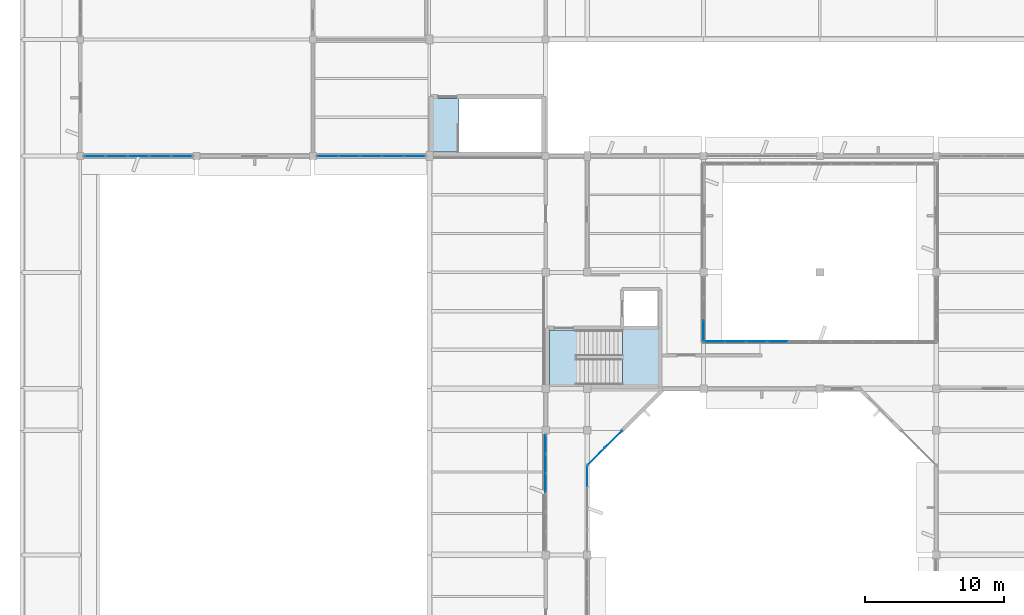
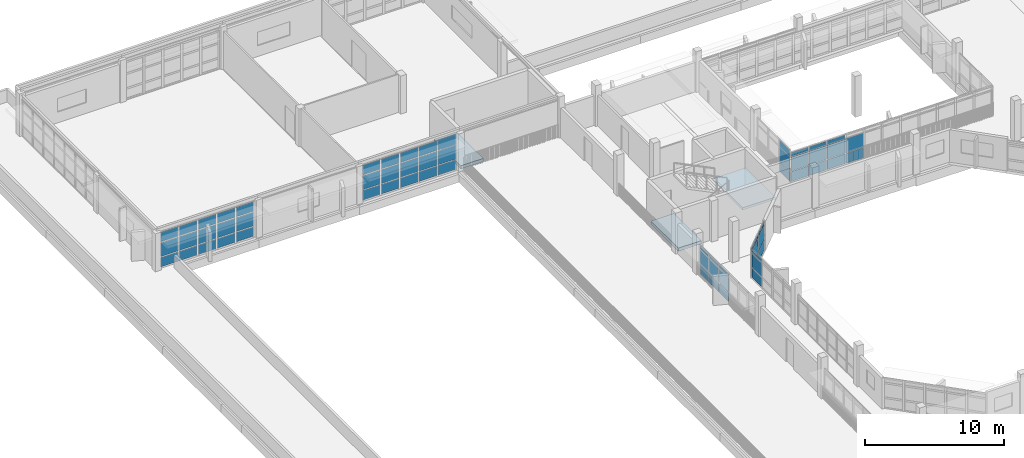
# One storey, part 52 of 92: 62 plates, 3 slabs, 8 elements without a shape of their own.
"""IFC4 building model written with IfcOpenShell, lengths in metres."""

from ifc_helpers import new_model, si_unit, direction, frame, origin, origin_2d, place, context, subcontext, project, spatial, polyline, rectangle, outline, extrude, material, layer, layer_set, type_object, element, aggregate, save


model = new_model("IFC4")

# Units and contexts
model_context = context("Model", 3, precision=1e-05, world=origin(), true_north=direction((0.0, 1.0)))
body_context = subcontext(model_context, "Body", "Model", "MODEL_VIEW")
ifc_project = project(units=[si_unit("LENGTHUNIT", "METRE"), si_unit("AREAUNIT", "SQUARE_METRE"), si_unit("VOLUMEUNIT", "CUBIC_METRE"), si_unit("PLANEANGLEUNIT", "RADIAN"), si_unit("MASSUNIT", "GRAM", prefix="KILO")], contexts=[model_context])

# Site, building, storey
site_placement = place(None, origin())
site = spatial("IfcSite", under=ifc_project, at=site_placement, CompositionType="ELEMENT")
building_placement = place(site_placement, origin())
building = spatial("IfcBuilding", under=site, at=building_placement, Name="Vanh Quang Courtyard School", CompositionType="ELEMENT")
storey_placement = place(building_placement, frame((0.0, 0.0, 7.800048828125)))
storey = spatial("IfcBuildingStorey", under=building, at=storey_placement, Name="L02", CompositionType="ELEMENT", Elevation=7.800048828125)

# Curtain wall, plates
ifc_material_1 = material(Name="Thermally broken aluminium unitised curtain wall", Category="aluminium")
curtain_wall_type_1 = type_object("IfcCurtainWallType", Name="CW-SYS-44", PredefinedType="NOTDEFINED", material=ifc_material_1)
curtain_wall_1_placement = place(storey_placement, origin())
curtain_wall_1 = element("IfcCurtainWall", 1, at=curtain_wall_1_placement, inside=storey, type_object=curtain_wall_type_1, Name="Curtain Wall CW-44 (L02)", PredefinedType="NOTDEFINED")
ifc_material_2 = material(Name="Low-E laminated double glazing", Category="glass")
ifc_layer_1 = layer(ifc_material_2, 0.028076171875)
ifc_layer_set_1 = layer_set([ifc_layer_1], Name="Low-E laminated double glazing")
plate_type_1 = type_object("IfcPlateType", Name="CW-PNL-28", PredefinedType="CURTAIN_PANEL", material=ifc_layer_set_1)
plate_1_placement = place(storey_placement, frame((40.800048828125, 65.064453125, 0.079833984375), z_axis=(0.0, 0.0, 1.0), x_axis=(0.0, -1.0, 0.0)))
plate_1 = element("IfcPlate", 2, at=plate_1_placement, type_object=plate_type_1, Name="CW-44 panel 1.1", PredefinedType="CURTAIN_PANEL", context=body_context, shape_type="SweptSolid", body=[
    extrude(rectangle(XDim=1.42333984375, YDim=0.028076171875, at=origin_2d()), origin(), (0.0, 0.0, 1.0), 0.830078125),
])
plate_2_placement = place(storey_placement, frame((40.800048828125, 65.064453125, 0.98974609375), z_axis=(0.0, 0.0, 1.0), x_axis=(0.0, -1.0, 0.0)))
plate_2 = element("IfcPlate", 3, at=plate_2_placement, type_object=plate_type_1, Name="CW-44 panel 1.2", PredefinedType="CURTAIN_PANEL", context=body_context, shape_type="SweptSolid", body=[
    extrude(rectangle(XDim=1.42333984375, YDim=0.028076171875, at=origin_2d()), origin(), (0.0, 0.0, 1.0), 1.219970703125),
])
plate_3_placement = place(storey_placement, frame((40.800048828125, 65.064453125, 2.2900390625), z_axis=(0.0, 0.0, 1.0), x_axis=(0.0, -1.0, 0.0)))
plate_3 = element("IfcPlate", 4, at=plate_3_placement, type_object=plate_type_1, Name="CW-44 panel 1.3", PredefinedType="CURTAIN_PANEL", context=body_context, shape_type="SweptSolid", body=[
    extrude(rectangle(XDim=1.42333984375, YDim=0.028076171875, at=origin_2d()), origin(), (0.0, 0.0, 1.0), 0.22998046875),
])
aggregate(curtain_wall_1, [plate_1, plate_2, plate_3])

curtain_wall_type_2 = type_object("IfcCurtainWallType", Name="CW-SYS-56", PredefinedType="NOTDEFINED", material=ifc_material_1)
curtain_wall_2_placement = place(storey_placement, origin())
curtain_wall_2 = element("IfcCurtainWall", 5, at=curtain_wall_2_placement, inside=storey, type_object=curtain_wall_type_2, Name="Curtain Wall CW-56 (L02)", PredefinedType="NOTDEFINED")
plate_4_placement = place(storey_placement, frame((49.199951171875, 75.60107421875, 0.06005859375), z_axis=(0.0, 0.0, 1.0), x_axis=(0.0, -1.0, 0.0)))
plate_4 = element("IfcPlate", 6, at=plate_4_placement, type_object=plate_type_1, Name="CW-56 panel 3.1", PredefinedType="CURTAIN_PANEL", context=body_context, shape_type="SweptSolid", body=[
    extrude(rectangle(XDim=1.482421875, YDim=0.028076171875, at=origin_2d()), origin(), (0.0, 0.0, 1.0), 0.860107421875),
])
plate_5_placement = place(storey_placement, frame((49.199951171875, 75.60107421875, 0.97998046875), z_axis=(0.0, 0.0, 1.0), x_axis=(0.0, -1.0, 0.0)))
plate_5 = element("IfcPlate", 7, at=plate_5_placement, type_object=plate_type_1, Name="CW-56 panel 3.2", PredefinedType="CURTAIN_PANEL", context=body_context, shape_type="SweptSolid", body=[
    extrude(rectangle(XDim=1.482421875, YDim=0.028076171875, at=origin_2d()), origin(), (0.0, 0.0, 1.0), 1.239990234375),
])
plate_6_placement = place(storey_placement, frame((49.199951171875, 75.60107421875, 2.280029296875), z_axis=(0.0, 0.0, 1.0), x_axis=(0.0, -1.0, 0.0)))
plate_6 = element("IfcPlate", 8, at=plate_6_placement, type_object=plate_type_1, Name="CW-56 panel 3.3", PredefinedType="CURTAIN_PANEL", context=body_context, shape_type="SweptSolid", body=[
    extrude(rectangle(XDim=1.482421875, YDim=0.028076171875, at=origin_2d()), origin(), (0.0, 0.0, 1.0), 0.56005859375),
])
aggregate(curtain_wall_2, [plate_4, plate_5, plate_6])

curtain_wall_type_3 = type_object("IfcCurtainWallType", Name="CW-SYS-08", PredefinedType="NOTDEFINED", material=ifc_material_1)
curtain_wall_3_placement = place(storey_placement, origin())
curtain_wall_3 = element("IfcCurtainWall", 9, at=curtain_wall_3_placement, inside=storey, type_object=curtain_wall_type_3, Name="Curtain Wall CW-08 (L02)", PredefinedType="NOTDEFINED")
plate_7_placement = place(storey_placement, frame((11.53369140625, 88.199951171875, 0.079833984375), z_axis=(0.0, 0.0, 1.0), x_axis=(-1.0, 0.0, 0.0)))
plate_7 = element("IfcPlate", 10, at=plate_7_placement, type_object=plate_type_1, Name="CW-08 panel 1.1", PredefinedType="CURTAIN_PANEL", context=body_context, shape_type="SweptSolid", body=[
    extrude(rectangle(XDim=1.456787109375, YDim=0.028076171875, at=origin_2d()), origin(), (0.0, 0.0, 1.0), 0.830078125),
])
plate_8_placement = place(storey_placement, frame((11.53369140625, 88.199951171875, 0.98974609375), z_axis=(0.0, 0.0, 1.0), x_axis=(-1.0, 0.0, 0.0)))
plate_8 = element("IfcPlate", 11, at=plate_8_placement, type_object=plate_type_1, Name="CW-08 panel 1.2", PredefinedType="CURTAIN_PANEL", context=body_context, shape_type="SweptSolid", body=[
    extrude(rectangle(XDim=1.456787109375, YDim=0.028076171875, at=origin_2d()), origin(), (0.0, 0.0, 1.0), 1.219970703125),
])
plate_9_placement = place(storey_placement, frame((11.53369140625, 88.199951171875, 2.289794921875), z_axis=(0.0, 0.0, 1.0), x_axis=(-1.0, 0.0, 0.0)))
plate_9 = element("IfcPlate", 12, at=plate_9_placement, type_object=plate_type_1, Name="CW-08 panel 1.3", PredefinedType="CURTAIN_PANEL", context=body_context, shape_type="SweptSolid", body=[
    extrude(rectangle(XDim=1.456787109375, YDim=0.028076171875, at=origin_2d()), origin(), (0.0, 0.0, 1.0), 0.830078125),
])
plate_10_placement = place(storey_placement, frame((9.976806640625, 88.199951171875, 0.079833984375), z_axis=(0.0, 0.0, 1.0), x_axis=(-1.0, 0.0, 0.0)))
plate_10 = element("IfcPlate", 13, at=plate_10_placement, type_object=plate_type_1, Name="CW-08 panel 2.1", PredefinedType="CURTAIN_PANEL", context=body_context, shape_type="SweptSolid", body=[
    extrude(rectangle(XDim=1.496826171875, YDim=0.028076171875, at=origin_2d()), origin(), (0.0, 0.0, 1.0), 0.830078125),
])
plate_11_placement = place(storey_placement, frame((9.976806640625, 88.199951171875, 0.98974609375), z_axis=(0.0, 0.0, 1.0), x_axis=(-1.0, 0.0, 0.0)))
plate_11 = element("IfcPlate", 14, at=plate_11_placement, type_object=plate_type_1, Name="CW-08 panel 2.2", PredefinedType="CURTAIN_PANEL", context=body_context, shape_type="SweptSolid", body=[
    extrude(rectangle(XDim=1.496826171875, YDim=0.028076171875, at=origin_2d()), origin(), (0.0, 0.0, 1.0), 1.219970703125),
])
plate_12_placement = place(storey_placement, frame((9.976806640625, 88.199951171875, 2.289794921875), z_axis=(0.0, 0.0, 1.0), x_axis=(-1.0, 0.0, 0.0)))
plate_12 = element("IfcPlate", 15, at=plate_12_placement, type_object=plate_type_1, Name="CW-08 panel 2.3", PredefinedType="CURTAIN_PANEL", context=body_context, shape_type="SweptSolid", body=[
    extrude(rectangle(XDim=1.496826171875, YDim=0.028076171875, at=origin_2d()), origin(), (0.0, 0.0, 1.0), 0.830078125),
])
plate_13_placement = place(storey_placement, frame((8.39990234375, 88.199951171875, 0.079833984375), z_axis=(0.0, 0.0, 1.0), x_axis=(-1.0, 0.0, 0.0)))
plate_13 = element("IfcPlate", 16, at=plate_13_placement, type_object=plate_type_1, Name="CW-08 panel 3.1", PredefinedType="CURTAIN_PANEL", context=body_context, shape_type="SweptSolid", body=[
    extrude(rectangle(XDim=1.496826171875, YDim=0.028076171875, at=origin_2d()), origin(), (0.0, 0.0, 1.0), 0.830078125),
])
plate_14_placement = place(storey_placement, frame((8.39990234375, 88.199951171875, 0.98974609375), z_axis=(0.0, 0.0, 1.0), x_axis=(-1.0, 0.0, 0.0)))
plate_14 = element("IfcPlate", 17, at=plate_14_placement, type_object=plate_type_1, Name="CW-08 panel 3.2", PredefinedType="CURTAIN_PANEL", context=body_context, shape_type="SweptSolid", body=[
    extrude(rectangle(XDim=1.496826171875, YDim=0.028076171875, at=origin_2d()), origin(), (0.0, 0.0, 1.0), 1.219970703125),
])
plate_15_placement = place(storey_placement, frame((8.39990234375, 88.199951171875, 2.289794921875), z_axis=(0.0, 0.0, 1.0), x_axis=(-1.0, 0.0, 0.0)))
plate_15 = element("IfcPlate", 18, at=plate_15_placement, type_object=plate_type_1, Name="CW-08 panel 3.3", PredefinedType="CURTAIN_PANEL", context=body_context, shape_type="SweptSolid", body=[
    extrude(rectangle(XDim=1.496826171875, YDim=0.028076171875, at=origin_2d()), origin(), (0.0, 0.0, 1.0), 0.830078125),
])
plate_16_placement = place(storey_placement, frame((6.8232421875, 88.199951171875, 0.079833984375), z_axis=(0.0, 0.0, 1.0), x_axis=(-1.0, 0.0, 0.0)))
plate_16 = element("IfcPlate", 19, at=plate_16_placement, type_object=plate_type_1, Name="CW-08 panel 4.1", PredefinedType="CURTAIN_PANEL", context=body_context, shape_type="SweptSolid", body=[
    extrude(rectangle(XDim=1.496826171875, YDim=0.028076171875, at=origin_2d()), origin(), (0.0, 0.0, 1.0), 0.830078125),
])
plate_17_placement = place(storey_placement, frame((6.8232421875, 88.199951171875, 0.98974609375), z_axis=(0.0, 0.0, 1.0), x_axis=(-1.0, 0.0, 0.0)))
plate_17 = element("IfcPlate", 20, at=plate_17_placement, type_object=plate_type_1, Name="CW-08 panel 4.2", PredefinedType="CURTAIN_PANEL", context=body_context, shape_type="SweptSolid", body=[
    extrude(rectangle(XDim=1.496826171875, YDim=0.028076171875, at=origin_2d()), origin(), (0.0, 0.0, 1.0), 1.219970703125),
])
plate_18_placement = place(storey_placement, frame((6.8232421875, 88.199951171875, 2.289794921875), z_axis=(0.0, 0.0, 1.0), x_axis=(-1.0, 0.0, 0.0)))
plate_18 = element("IfcPlate", 21, at=plate_18_placement, type_object=plate_type_1, Name="CW-08 panel 4.3", PredefinedType="CURTAIN_PANEL", context=body_context, shape_type="SweptSolid", body=[
    extrude(rectangle(XDim=1.496826171875, YDim=0.028076171875, at=origin_2d()), origin(), (0.0, 0.0, 1.0), 0.830078125),
])
plate_19_placement = place(storey_placement, frame((5.266357421875, 88.199951171875, 0.079833984375), z_axis=(0.0, 0.0, 1.0), x_axis=(-1.0, 0.0, 0.0)))
plate_19 = element("IfcPlate", 22, at=plate_19_placement, type_object=plate_type_1, Name="CW-08 panel 5.1", PredefinedType="CURTAIN_PANEL", context=body_context, shape_type="SweptSolid", body=[
    extrude(rectangle(XDim=1.456787109375, YDim=0.028076171875, at=origin_2d()), origin(), (0.0, 0.0, 1.0), 0.830078125),
])
plate_20_placement = place(storey_placement, frame((5.266357421875, 88.199951171875, 0.98974609375), z_axis=(0.0, 0.0, 1.0), x_axis=(-1.0, 0.0, 0.0)))
plate_20 = element("IfcPlate", 23, at=plate_20_placement, type_object=plate_type_1, Name="CW-08 panel 5.2", PredefinedType="CURTAIN_PANEL", context=body_context, shape_type="SweptSolid", body=[
    extrude(rectangle(XDim=1.456787109375, YDim=0.028076171875, at=origin_2d()), origin(), (0.0, 0.0, 1.0), 1.219970703125),
])
plate_21_placement = place(storey_placement, frame((5.266357421875, 88.199951171875, 2.289794921875), z_axis=(0.0, 0.0, 1.0), x_axis=(-1.0, 0.0, 0.0)))
plate_21 = element("IfcPlate", 24, at=plate_21_placement, type_object=plate_type_1, Name="CW-08 panel 5.3", PredefinedType="CURTAIN_PANEL", context=body_context, shape_type="SweptSolid", body=[
    extrude(rectangle(XDim=1.456787109375, YDim=0.028076171875, at=origin_2d()), origin(), (0.0, 0.0, 1.0), 0.830078125),
])
aggregate(curtain_wall_3, [plate_7, plate_8, plate_9, plate_10, plate_11, plate_12, plate_13, plate_14, plate_15, plate_16, plate_17, plate_18, plate_19, plate_20, plate_21])

curtain_wall_type_4 = type_object("IfcCurtainWallType", Name="CW-SYS-48", PredefinedType="NOTDEFINED", material=ifc_material_1)
curtain_wall_4_placement = place(storey_placement, origin())
curtain_wall_4 = element("IfcCurtainWall", 25, at=curtain_wall_4_placement, inside=storey, type_object=curtain_wall_type_4, Name="Curtain Wall CW-48 (L02)", PredefinedType="NOTDEFINED")
ifc_layer_2 = layer(ifc_material_2, 0.031982421875)
ifc_layer_set_2 = layer_set([ifc_layer_2], Name="Low-E laminated double glazing")
plate_type_2 = type_object("IfcPlateType", Name="CW-PNL-32", PredefinedType="CURTAIN_PANEL", material=ifc_layer_set_2)
plate_22_placement = place(storey_placement, frame((37.800048828125, 64.602783203125, 0.079833984375), z_axis=(0.0, 0.0, 1.0), x_axis=(0.0, 1.0, 0.0)))
plate_22 = element("IfcPlate", 26, at=plate_22_placement, type_object=plate_type_2, Name="CW-48 panel 4.1", PredefinedType="CURTAIN_PANEL", context=body_context, shape_type="SweptSolid", body=[
    extrude(rectangle(XDim=1.32568359375, YDim=0.031982421875, at=origin_2d()), origin(), (0.0, 0.0, 1.0), 0.830078125),
])
plate_23_placement = place(storey_placement, frame((37.800048828125, 64.602783203125, 0.98974609375), z_axis=(0.0, 0.0, 1.0), x_axis=(0.0, 1.0, 0.0)))
plate_23 = element("IfcPlate", 27, at=plate_23_placement, type_object=plate_type_2, Name="CW-48 panel 4.2", PredefinedType="CURTAIN_PANEL", context=body_context, shape_type="SweptSolid", body=[
    extrude(rectangle(XDim=1.32568359375, YDim=0.031982421875, at=origin_2d()), origin(), (0.0, 0.0, 1.0), 1.219970703125),
])
plate_24_placement = place(storey_placement, frame((37.800048828125, 64.602783203125, 2.2900390625), z_axis=(0.0, 0.0, 1.0), x_axis=(0.0, 1.0, 0.0)))
plate_24 = element("IfcPlate", 28, at=plate_24_placement, type_object=plate_type_2, Name="CW-48 panel 4.3", PredefinedType="CURTAIN_PANEL", context=body_context, shape_type="SweptSolid", body=[
    extrude(rectangle(XDim=1.32568359375, YDim=0.031982421875, at=origin_2d()), origin(), (0.0, 0.0, 1.0), 0.22998046875),
])
plate_25_placement = place(storey_placement, frame((37.800048828125, 66.008544921875, 0.079833984375), z_axis=(0.0, 0.0, 1.0), x_axis=(0.0, 1.0, 0.0)))
plate_25 = element("IfcPlate", 29, at=plate_25_placement, type_object=plate_type_2, Name="CW-48 panel 5.1", PredefinedType="CURTAIN_PANEL", context=body_context, shape_type="SweptSolid", body=[
    extrude(rectangle(XDim=1.32568359375, YDim=0.031982421875, at=origin_2d()), origin(), (0.0, 0.0, 1.0), 0.830078125),
])
plate_26_placement = place(storey_placement, frame((37.800048828125, 66.008544921875, 0.98974609375), z_axis=(0.0, 0.0, 1.0), x_axis=(0.0, 1.0, 0.0)))
plate_26 = element("IfcPlate", 30, at=plate_26_placement, type_object=plate_type_2, Name="CW-48 panel 5.2", PredefinedType="CURTAIN_PANEL", context=body_context, shape_type="SweptSolid", body=[
    extrude(rectangle(XDim=1.32568359375, YDim=0.031982421875, at=origin_2d()), origin(), (0.0, 0.0, 1.0), 1.219970703125),
])
plate_27_placement = place(storey_placement, frame((37.800048828125, 66.008544921875, 2.2900390625), z_axis=(0.0, 0.0, 1.0), x_axis=(0.0, 1.0, 0.0)))
plate_27 = element("IfcPlate", 31, at=plate_27_placement, type_object=plate_type_2, Name="CW-48 panel 5.3", PredefinedType="CURTAIN_PANEL", context=body_context, shape_type="SweptSolid", body=[
    extrude(rectangle(XDim=1.32568359375, YDim=0.031982421875, at=origin_2d()), origin(), (0.0, 0.0, 1.0), 0.22998046875),
])
plate_28_placement = place(storey_placement, frame((37.800048828125, 67.394287109375, 0.079833984375), z_axis=(0.0, 0.0, 1.0), x_axis=(0.0, 1.0, 0.0)))
plate_28 = element("IfcPlate", 32, at=plate_28_placement, type_object=plate_type_2, Name="CW-48 panel 6.1", PredefinedType="CURTAIN_PANEL", context=body_context, shape_type="SweptSolid", body=[
    extrude(rectangle(XDim=1.28564453125, YDim=0.031982421875, at=origin_2d()), origin(), (0.0, 0.0, 1.0), 0.830078125),
])
plate_29_placement = place(storey_placement, frame((37.800048828125, 67.394287109375, 0.98974609375), z_axis=(0.0, 0.0, 1.0), x_axis=(0.0, 1.0, 0.0)))
plate_29 = element("IfcPlate", 33, at=plate_29_placement, type_object=plate_type_2, Name="CW-48 panel 6.2", PredefinedType="CURTAIN_PANEL", context=body_context, shape_type="SweptSolid", body=[
    extrude(rectangle(XDim=1.28564453125, YDim=0.031982421875, at=origin_2d()), origin(), (0.0, 0.0, 1.0), 1.219970703125),
])
plate_30_placement = place(storey_placement, frame((37.800048828125, 67.394287109375, 2.2900390625), z_axis=(0.0, 0.0, 1.0), x_axis=(0.0, 1.0, 0.0)))
plate_30 = element("IfcPlate", 34, at=plate_30_placement, type_object=plate_type_2, Name="CW-48 panel 6.3", PredefinedType="CURTAIN_PANEL", context=body_context, shape_type="SweptSolid", body=[
    extrude(rectangle(XDim=1.28564453125, YDim=0.031982421875, at=origin_2d()), origin(), (0.0, 0.0, 1.0), 0.22998046875),
])
aggregate(curtain_wall_4, [plate_22, plate_23, plate_24, plate_25, plate_26, plate_27, plate_28, plate_29, plate_30])

curtain_wall_type_5 = type_object("IfcCurtainWallType", Name="CW-SYS-41", PredefinedType="NOTDEFINED", material=ifc_material_1)
curtain_wall_5_placement = place(storey_placement, origin())
curtain_wall_5 = element("IfcCurtainWall", 35, at=curtain_wall_5_placement, inside=storey, type_object=curtain_wall_type_5, Name="Curtain Wall CW-41 (L02)", PredefinedType="NOTDEFINED")
plate_31_placement = place(storey_placement, frame((42.697509765625, 67.75341796875, 0.06005859375), z_axis=(0.0, 0.0, 1.0), x_axis=(-0.707106781187, -0.707106781187, 0.0)))
plate_31 = element("IfcPlate", 36, at=plate_31_placement, type_object=plate_type_2, Name="CW-41 panel 1.1", PredefinedType="CURTAIN_PANEL", context=body_context, shape_type="SweptSolid", body=[
    extrude(rectangle(XDim=1.708984375, YDim=0.031982421875, at=origin_2d()), origin(), (0.0, 0.0, 1.0), 0.860107421875),
])
plate_32_placement = place(storey_placement, frame((42.697509765625, 67.75341796875, 0.97998046875), z_axis=(0.0, 0.0, 1.0), x_axis=(-0.707106781187, -0.707106781187, 0.0)))
plate_32 = element("IfcPlate", 37, at=plate_32_placement, type_object=plate_type_2, Name="CW-41 panel 1.2", PredefinedType="CURTAIN_PANEL", context=body_context, shape_type="SweptSolid", body=[
    extrude(rectangle(XDim=1.708984375, YDim=0.031982421875, at=origin_2d()), origin(), (0.0, 0.0, 1.0), 1.239990234375),
])
plate_33_placement = place(storey_placement, frame((42.697509765625, 67.75341796875, 2.27978515625), z_axis=(0.0, 0.0, 1.0), x_axis=(-0.707106781187, -0.707106781187, 0.0)))
plate_33 = element("IfcPlate", 38, at=plate_33_placement, type_object=plate_type_2, Name="CW-41 panel 1.3", PredefinedType="CURTAIN_PANEL", context=body_context, shape_type="SweptSolid", body=[
    extrude(rectangle(XDim=1.708984375, YDim=0.031982421875, at=origin_2d()), origin(), (0.0, 0.0, 1.0), 0.260009765625),
])
plate_34_placement = place(storey_placement, frame((41.446533203125, 66.502685546875, 0.06005859375), z_axis=(0.0, 0.0, 1.0), x_axis=(-0.707106781187, -0.707106781187, 0.0)))
plate_34 = element("IfcPlate", 39, at=plate_34_placement, type_object=plate_type_2, Name="CW-41 panel 2.1", PredefinedType="CURTAIN_PANEL", context=body_context, shape_type="SweptSolid", body=[
    extrude(rectangle(XDim=1.708984375, YDim=0.031982421875, at=origin_2d()), origin(), (0.0, 0.0, 1.0), 0.860107421875),
])
plate_35_placement = place(storey_placement, frame((41.446533203125, 66.502685546875, 0.97998046875), z_axis=(0.0, 0.0, 1.0), x_axis=(-0.707106781187, -0.707106781187, 0.0)))
plate_35 = element("IfcPlate", 40, at=plate_35_placement, type_object=plate_type_2, Name="CW-41 panel 2.2", PredefinedType="CURTAIN_PANEL", context=body_context, shape_type="SweptSolid", body=[
    extrude(rectangle(XDim=1.708984375, YDim=0.031982421875, at=origin_2d()), origin(), (0.0, 0.0, 1.0), 1.239990234375),
])
plate_36_placement = place(storey_placement, frame((41.446533203125, 66.502685546875, 2.27978515625), z_axis=(0.0, 0.0, 1.0), x_axis=(-0.707106781187, -0.707106781187, 0.0)))
plate_36 = element("IfcPlate", 41, at=plate_36_placement, type_object=plate_type_2, Name="CW-41 panel 2.3", PredefinedType="CURTAIN_PANEL", context=body_context, shape_type="SweptSolid", body=[
    extrude(rectangle(XDim=1.708984375, YDim=0.031982421875, at=origin_2d()), origin(), (0.0, 0.0, 1.0), 0.260009765625),
])
aggregate(curtain_wall_5, [plate_31, plate_32, plate_33, plate_34, plate_35, plate_36])

curtain_wall_type_6 = type_object("IfcCurtainWallType", Name="CW-SYS-54", PredefinedType="NOTDEFINED", material=ifc_material_1)
curtain_wall_6_placement = place(storey_placement, origin())
curtain_wall_6 = element("IfcCurtainWall", 42, at=curtain_wall_6_placement, inside=storey, type_object=curtain_wall_type_6, Name="Curtain Wall CW-54 (L02)", PredefinedType="NOTDEFINED")
plate_37_placement = place(storey_placement, frame((49.978515625, 74.800048828125, 0.06005859375), z_axis=(0.0, 0.0, 1.0), x_axis=(1.0, 0.0, 0.0)))
plate_37 = element("IfcPlate", 43, at=plate_37_placement, type_object=plate_type_2, Name="CW-54 panel 1.1", PredefinedType="CURTAIN_PANEL", context=body_context, shape_type="SweptSolid", body=[
    extrude(rectangle(XDim=1.437255859375, YDim=0.031982421875, at=origin_2d()), origin(), (0.0, 0.0, 1.0), 0.860107421875),
])
plate_38_placement = place(storey_placement, frame((49.978515625, 74.800048828125, 0.97998046875), z_axis=(0.0, 0.0, 1.0), x_axis=(1.0, 0.0, 0.0)))
plate_38 = element("IfcPlate", 44, at=plate_38_placement, type_object=plate_type_2, Name="CW-54 panel 1.2", PredefinedType="CURTAIN_PANEL", context=body_context, shape_type="SweptSolid", body=[
    extrude(rectangle(XDim=1.437255859375, YDim=0.031982421875, at=origin_2d()), origin(), (0.0, 0.0, 1.0), 1.239990234375),
])
plate_39_placement = place(storey_placement, frame((49.978515625, 74.800048828125, 2.280029296875), z_axis=(0.0, 0.0, 1.0), x_axis=(1.0, 0.0, 0.0)))
plate_39 = element("IfcPlate", 45, at=plate_39_placement, type_object=plate_type_2, Name="CW-54 panel 1.3", PredefinedType="CURTAIN_PANEL", context=body_context, shape_type="SweptSolid", body=[
    extrude(rectangle(XDim=1.437255859375, YDim=0.031982421875, at=origin_2d()), origin(), (0.0, 0.0, 1.0), 0.31005859375),
])
plate_40_placement = place(storey_placement, frame((51.490966796875, 74.800048828125, 0.06005859375), z_axis=(0.0, 0.0, 1.0), x_axis=(1.0, 0.0, 0.0)))
plate_40 = element("IfcPlate", 46, at=plate_40_placement, type_object=plate_type_2, Name="CW-54 panel 2.1", PredefinedType="CURTAIN_PANEL", context=body_context, shape_type="SweptSolid", body=[
    extrude(rectangle(XDim=1.46728515625, YDim=0.031982421875, at=origin_2d()), origin(), (0.0, 0.0, 1.0), 0.860107421875),
])
plate_41_placement = place(storey_placement, frame((51.490966796875, 74.800048828125, 0.97998046875), z_axis=(0.0, 0.0, 1.0), x_axis=(1.0, 0.0, 0.0)))
plate_41 = element("IfcPlate", 47, at=plate_41_placement, type_object=plate_type_2, Name="CW-54 panel 2.2", PredefinedType="CURTAIN_PANEL", context=body_context, shape_type="SweptSolid", body=[
    extrude(rectangle(XDim=1.46728515625, YDim=0.031982421875, at=origin_2d()), origin(), (0.0, 0.0, 1.0), 1.239990234375),
])
plate_42_placement = place(storey_placement, frame((51.490966796875, 74.800048828125, 2.280029296875), z_axis=(0.0, 0.0, 1.0), x_axis=(1.0, 0.0, 0.0)))
plate_42 = element("IfcPlate", 48, at=plate_42_placement, type_object=plate_type_2, Name="CW-54 panel 2.3", PredefinedType="CURTAIN_PANEL", context=body_context, shape_type="SweptSolid", body=[
    extrude(rectangle(XDim=1.46728515625, YDim=0.031982421875, at=origin_2d()), origin(), (0.0, 0.0, 1.0), 0.31005859375),
])
plate_43_placement = place(storey_placement, frame((53.01806640625, 74.800048828125, 0.06005859375), z_axis=(0.0, 0.0, 1.0), x_axis=(1.0, 0.0, 0.0)))
plate_43 = element("IfcPlate", 49, at=plate_43_placement, type_object=plate_type_2, Name="CW-54 panel 3.1", PredefinedType="CURTAIN_PANEL", context=body_context, shape_type="SweptSolid", body=[
    extrude(rectangle(XDim=1.46728515625, YDim=0.031982421875, at=origin_2d()), origin(), (0.0, 0.0, 1.0), 0.860107421875),
])
plate_44_placement = place(storey_placement, frame((53.01806640625, 74.800048828125, 0.97998046875), z_axis=(0.0, 0.0, 1.0), x_axis=(1.0, 0.0, 0.0)))
plate_44 = element("IfcPlate", 50, at=plate_44_placement, type_object=plate_type_2, Name="CW-54 panel 3.2", PredefinedType="CURTAIN_PANEL", context=body_context, shape_type="SweptSolid", body=[
    extrude(rectangle(XDim=1.46728515625, YDim=0.031982421875, at=origin_2d()), origin(), (0.0, 0.0, 1.0), 1.239990234375),
])
plate_45_placement = place(storey_placement, frame((53.01806640625, 74.800048828125, 2.280029296875), z_axis=(0.0, 0.0, 1.0), x_axis=(1.0, 0.0, 0.0)))
plate_45 = element("IfcPlate", 51, at=plate_45_placement, type_object=plate_type_2, Name="CW-54 panel 3.3", PredefinedType="CURTAIN_PANEL", context=body_context, shape_type="SweptSolid", body=[
    extrude(rectangle(XDim=1.46728515625, YDim=0.031982421875, at=origin_2d()), origin(), (0.0, 0.0, 1.0), 0.31005859375),
])
plate_46_placement = place(storey_placement, frame((54.54541015625, 74.800048828125, 0.06005859375), z_axis=(0.0, 0.0, 1.0), x_axis=(1.0, 0.0, 0.0)))
plate_46 = element("IfcPlate", 52, at=plate_46_placement, type_object=plate_type_2, Name="CW-54 panel 4.1", PredefinedType="CURTAIN_PANEL", context=body_context, shape_type="SweptSolid", body=[
    extrude(rectangle(XDim=1.46728515625, YDim=0.031982421875, at=origin_2d()), origin(), (0.0, 0.0, 1.0), 0.860107421875),
])
plate_47_placement = place(storey_placement, frame((54.54541015625, 74.800048828125, 0.97998046875), z_axis=(0.0, 0.0, 1.0), x_axis=(1.0, 0.0, 0.0)))
plate_47 = element("IfcPlate", 53, at=plate_47_placement, type_object=plate_type_2, Name="CW-54 panel 4.2", PredefinedType="CURTAIN_PANEL", context=body_context, shape_type="SweptSolid", body=[
    extrude(rectangle(XDim=1.46728515625, YDim=0.031982421875, at=origin_2d()), origin(), (0.0, 0.0, 1.0), 1.239990234375),
])
aggregate(curtain_wall_6, [plate_37, plate_38, plate_39, plate_40, plate_41, plate_42, plate_43, plate_44, plate_45, plate_46, plate_47])

curtain_wall_7_placement = place(storey_placement, origin())
curtain_wall_7 = element("IfcCurtainWall", 54, at=curtain_wall_7_placement, inside=storey, type_object=curtain_wall_type_3, Name="Curtain Wall CW-08 (L02)", PredefinedType="NOTDEFINED")
plate_48_placement = place(storey_placement, frame((28.336181640625, 88.199951171875, 0.06982421875), z_axis=(0.0, 0.0, 1.0), x_axis=(-1.0, 0.0, 0.0)))
plate_48 = element("IfcPlate", 55, at=plate_48_placement, type_object=plate_type_2, Name="CW-08 panel 1.1", PredefinedType="CURTAIN_PANEL", context=body_context, shape_type="SweptSolid", body=[
    extrude(rectangle(XDim=1.4716796875, YDim=0.031982421875, at=origin_2d()), origin(), (0.0, 0.0, 1.0), 0.844970703125),
])
plate_49_placement = place(storey_placement, frame((28.336181640625, 88.199951171875, 0.98486328125), z_axis=(0.0, 0.0, 1.0), x_axis=(-1.0, 0.0, 0.0)))
plate_49 = element("IfcPlate", 56, at=plate_49_placement, type_object=plate_type_2, Name="CW-08 panel 1.2", PredefinedType="CURTAIN_PANEL", context=body_context, shape_type="SweptSolid", body=[
    extrude(rectangle(XDim=1.4716796875, YDim=0.031982421875, at=origin_2d()), origin(), (0.0, 0.0, 1.0), 1.22998046875),
])
plate_50_placement = place(storey_placement, frame((28.336181640625, 88.199951171875, 2.28515625), z_axis=(0.0, 0.0, 1.0), x_axis=(-1.0, 0.0, 0.0)))
plate_50 = element("IfcPlate", 57, at=plate_50_placement, type_object=plate_type_2, Name="CW-08 panel 1.3", PredefinedType="CURTAIN_PANEL", context=body_context, shape_type="SweptSolid", body=[
    extrude(rectangle(XDim=1.4716796875, YDim=0.031982421875, at=origin_2d()), origin(), (0.0, 0.0, 1.0), 0.844970703125),
])
plate_51_placement = place(storey_placement, frame((26.77685546875, 88.199951171875, 0.06982421875), z_axis=(0.0, 0.0, 1.0), x_axis=(-1.0, 0.0, 0.0)))
plate_51 = element("IfcPlate", 58, at=plate_51_placement, type_object=plate_type_2, Name="CW-08 panel 2.1", PredefinedType="CURTAIN_PANEL", context=body_context, shape_type="SweptSolid", body=[
    extrude(rectangle(XDim=1.5068359375, YDim=0.031982421875, at=origin_2d()), origin(), (0.0, 0.0, 1.0), 0.844970703125),
])
plate_52_placement = place(storey_placement, frame((26.77685546875, 88.199951171875, 0.98486328125), z_axis=(0.0, 0.0, 1.0), x_axis=(-1.0, 0.0, 0.0)))
plate_52 = element("IfcPlate", 59, at=plate_52_placement, type_object=plate_type_2, Name="CW-08 panel 2.2", PredefinedType="CURTAIN_PANEL", context=body_context, shape_type="SweptSolid", body=[
    extrude(rectangle(XDim=1.5068359375, YDim=0.031982421875, at=origin_2d()), origin(), (0.0, 0.0, 1.0), 1.22998046875),
])
plate_53_placement = place(storey_placement, frame((26.77685546875, 88.199951171875, 2.28515625), z_axis=(0.0, 0.0, 1.0), x_axis=(-1.0, 0.0, 0.0)))
plate_53 = element("IfcPlate", 60, at=plate_53_placement, type_object=plate_type_2, Name="CW-08 panel 2.3", PredefinedType="CURTAIN_PANEL", context=body_context, shape_type="SweptSolid", body=[
    extrude(rectangle(XDim=1.5068359375, YDim=0.031982421875, at=origin_2d()), origin(), (0.0, 0.0, 1.0), 0.844970703125),
])
plate_54_placement = place(storey_placement, frame((25.199951171875, 88.199951171875, 0.06982421875), z_axis=(0.0, 0.0, 1.0), x_axis=(-1.0, 0.0, 0.0)))
plate_54 = element("IfcPlate", 61, at=plate_54_placement, type_object=plate_type_2, Name="CW-08 panel 3.1", PredefinedType="CURTAIN_PANEL", context=body_context, shape_type="SweptSolid", body=[
    extrude(rectangle(XDim=1.5068359375, YDim=0.031982421875, at=origin_2d()), origin(), (0.0, 0.0, 1.0), 0.844970703125),
])
plate_55_placement = place(storey_placement, frame((25.199951171875, 88.199951171875, 0.98486328125), z_axis=(0.0, 0.0, 1.0), x_axis=(-1.0, 0.0, 0.0)))
plate_55 = element("IfcPlate", 62, at=plate_55_placement, type_object=plate_type_2, Name="CW-08 panel 3.2", PredefinedType="CURTAIN_PANEL", context=body_context, shape_type="SweptSolid", body=[
    extrude(rectangle(XDim=1.5068359375, YDim=0.031982421875, at=origin_2d()), origin(), (0.0, 0.0, 1.0), 1.22998046875),
])
plate_56_placement = place(storey_placement, frame((25.199951171875, 88.199951171875, 2.28515625), z_axis=(0.0, 0.0, 1.0), x_axis=(-1.0, 0.0, 0.0)))
plate_56 = element("IfcPlate", 63, at=plate_56_placement, type_object=plate_type_2, Name="CW-08 panel 3.3", PredefinedType="CURTAIN_PANEL", context=body_context, shape_type="SweptSolid", body=[
    extrude(rectangle(XDim=1.5068359375, YDim=0.031982421875, at=origin_2d()), origin(), (0.0, 0.0, 1.0), 0.844970703125),
])
plate_57_placement = place(storey_placement, frame((23.623291015625, 88.199951171875, 0.06982421875), z_axis=(0.0, 0.0, 1.0), x_axis=(-1.0, 0.0, 0.0)))
plate_57 = element("IfcPlate", 64, at=plate_57_placement, type_object=plate_type_2, Name="CW-08 panel 4.1", PredefinedType="CURTAIN_PANEL", context=body_context, shape_type="SweptSolid", body=[
    extrude(rectangle(XDim=1.5068359375, YDim=0.031982421875, at=origin_2d()), origin(), (0.0, 0.0, 1.0), 0.844970703125),
])
plate_58_placement = place(storey_placement, frame((23.623291015625, 88.199951171875, 0.98486328125), z_axis=(0.0, 0.0, 1.0), x_axis=(-1.0, 0.0, 0.0)))
plate_58 = element("IfcPlate", 65, at=plate_58_placement, type_object=plate_type_2, Name="CW-08 panel 4.2", PredefinedType="CURTAIN_PANEL", context=body_context, shape_type="SweptSolid", body=[
    extrude(rectangle(XDim=1.5068359375, YDim=0.031982421875, at=origin_2d()), origin(), (0.0, 0.0, 1.0), 1.22998046875),
])
plate_59_placement = place(storey_placement, frame((23.623291015625, 88.199951171875, 2.28515625), z_axis=(0.0, 0.0, 1.0), x_axis=(-1.0, 0.0, 0.0)))
plate_59 = element("IfcPlate", 66, at=plate_59_placement, type_object=plate_type_2, Name="CW-08 panel 4.3", PredefinedType="CURTAIN_PANEL", context=body_context, shape_type="SweptSolid", body=[
    extrude(rectangle(XDim=1.5068359375, YDim=0.031982421875, at=origin_2d()), origin(), (0.0, 0.0, 1.0), 0.844970703125),
])
plate_60_placement = place(storey_placement, frame((22.06396484375, 88.199951171875, 0.06982421875), z_axis=(0.0, 0.0, 1.0), x_axis=(-1.0, 0.0, 0.0)))
plate_60 = element("IfcPlate", 67, at=plate_60_placement, type_object=plate_type_2, Name="CW-08 panel 5.1", PredefinedType="CURTAIN_PANEL", context=body_context, shape_type="SweptSolid", body=[
    extrude(rectangle(XDim=1.4716796875, YDim=0.031982421875, at=origin_2d()), origin(), (0.0, 0.0, 1.0), 0.844970703125),
])
plate_61_placement = place(storey_placement, frame((22.06396484375, 88.199951171875, 0.98486328125), z_axis=(0.0, 0.0, 1.0), x_axis=(-1.0, 0.0, 0.0)))
plate_61 = element("IfcPlate", 68, at=plate_61_placement, type_object=plate_type_2, Name="CW-08 panel 5.2", PredefinedType="CURTAIN_PANEL", context=body_context, shape_type="SweptSolid", body=[
    extrude(rectangle(XDim=1.4716796875, YDim=0.031982421875, at=origin_2d()), origin(), (0.0, 0.0, 1.0), 1.22998046875),
])
plate_62_placement = place(storey_placement, frame((22.06396484375, 88.199951171875, 2.28515625), z_axis=(0.0, 0.0, 1.0), x_axis=(-1.0, 0.0, 0.0)))
plate_62 = element("IfcPlate", 69, at=plate_62_placement, type_object=plate_type_2, Name="CW-08 panel 5.3", PredefinedType="CURTAIN_PANEL", context=body_context, shape_type="SweptSolid", body=[
    extrude(rectangle(XDim=1.4716796875, YDim=0.031982421875, at=origin_2d()), origin(), (0.0, 0.0, 1.0), 0.844970703125),
])
aggregate(curtain_wall_7, [plate_48, plate_49, plate_50, plate_51, plate_52, plate_53, plate_54, plate_55, plate_56, plate_57, plate_58, plate_59, plate_60, plate_61, plate_62])

# Slabs
ifc_material_3 = material(Name="Concrete C30/37", Category="concrete")
ifc_layer_3 = layer(ifc_material_3, 0.280029296875)
ifc_layer_set_3 = layer_set([ifc_layer_3], Name="Concrete C30/37")
slab_type_1 = type_object("IfcSlabType", Name="SLB-FLR-280", PredefinedType="FLOOR", material=ifc_layer_set_3)
slab_1_placement = place(storey_placement, frame((0.0, 0.0, -0.280029296875)))
element("IfcSlab", 70, at=slab_1_placement, inside=storey, type_object=slab_type_1, Name="Slab SF-02 (L02)", PredefinedType="FLOOR", context=body_context, shape_type="SweptSolid", body=[
    extrude(outline(polyline([(40.010009765625, 71.679931640625), (38.080078125, 71.679931640625), (38.080078125, 75.639892578125), (40.010009765625, 75.639892578125), (40.010009765625, 71.679931640625)])), origin(), (0.0, 0.0, 1.0), 0.280029296875),
])
slab_2_placement = place(storey_placement, frame((0.0, 0.0, -0.280029296875)))
element("IfcSlab", 71, at=slab_2_placement, inside=storey, type_object=slab_type_1, Name="Slab SF-02 (L02)", PredefinedType="FLOOR", context=body_context, shape_type="SweptSolid", body=[
    extrude(outline(polyline([(31.56005859375, 88.47998046875), (29.679931640625, 88.47998046875), (29.679931640625, 92.340087890625), (31.56005859375, 92.340087890625), (31.56005859375, 88.47998046875)])), origin(), (0.0, 0.0, 1.0), 0.280029296875),
])

# Stair, slab
stair_type = type_object("IfcStairType", Name="STR-CORE-1900", PredefinedType="HALF_TURN_STAIR", material=ifc_material_3)
stair_placement = place(storey_placement, origin())
stair = element("IfcStair", 72, at=stair_placement, inside=storey, type_object=stair_type, Name="L02 ST-03", PredefinedType="HALF_TURN_STAIR")
ifc_layer_4 = layer(ifc_material_3, 0.199951171875)
ifc_layer_set_4 = layer_set([ifc_layer_4], Name="Concrete C30/37")
slab_type_2 = type_object("IfcSlabType", Name="SLB-LND-200", PredefinedType="LANDING", material=ifc_layer_set_4)
slab_3_placement = place(storey_placement, frame((0.0, 0.0, 1.599853515625)))
slab_3 = element("IfcSlab", 73, at=slab_3_placement, type_object=slab_type_2, Name="ST-03 landing 1", PredefinedType="LANDING", context=body_context, shape_type="SweptSolid", body=[
    extrude(outline(polyline([(43.3349609375, 71.52001953125), (46.080078125, 71.52001953125), (46.080078125, 75.800048828125), (43.3349609375, 75.800048828125), (43.3349609375, 71.52001953125)])), origin(), (0.0, 0.0, 1.0), 0.2001953125),
])
aggregate(stair, [slab_3])

save(model, "model.ifc")
